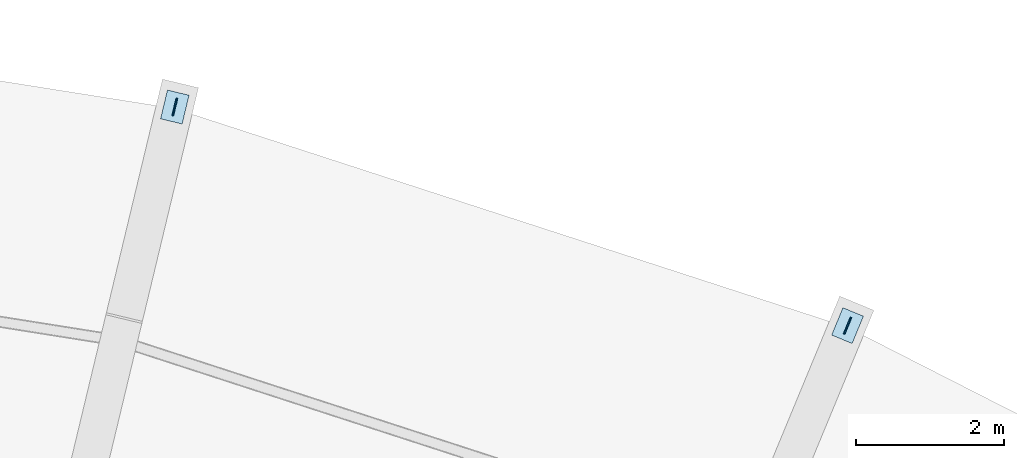
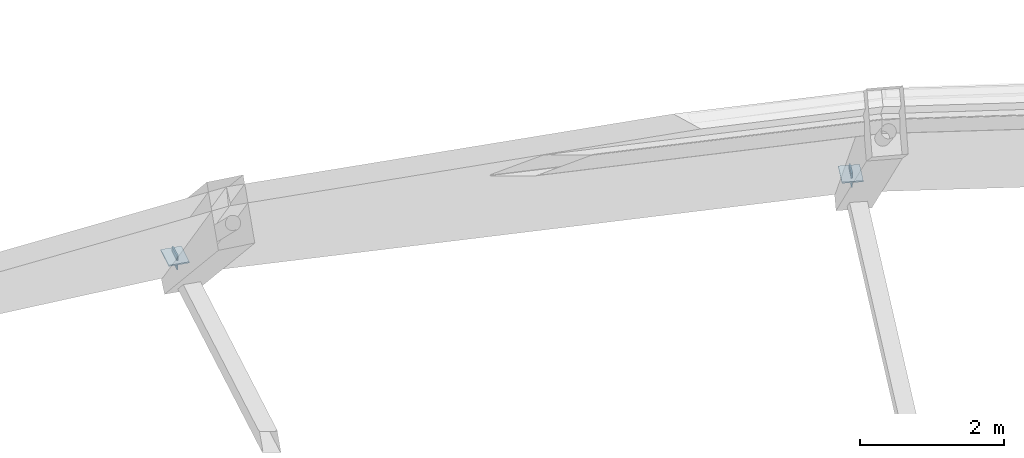
# One storey, part 28 of 34: 4 plates.
"""IFC4 building model written with IfcOpenShell, lengths in metres."""

import ifcopenshell
import ifcopenshell.guid

model = None  # the IFC model being written
_history = None  # IfcOwnerHistory: only IFC2X3 demands one
_inside = {}  # id of a spatial element -> (the spatial element, [elements in it])
_under = {}  # id of a project, library or spatial element -> (it, [spatial elements below it])
_declared = {}  # id of a project -> (the project, [libraries it declares])
_typed = {}  # id of a type object -> (the type object, [elements of that type])
_made_of = {}  # id of a material, layer set ... -> (it, [elements and type objects made of it])


def new_model(schema):
    """Start an empty IFC model of exactly this schema.

    Asked for "IFC4X3", IfcOpenShell would pick the latest addendum, in which some entities
    have other attributes; the version numbers below select the first issue.
    IFC2X3 requires an IfcOwnerHistory on every rooted entity: one is made here for all.
    """
    global model, _history
    if schema == "IFC4X3":
        model = ifcopenshell.file(schema_version=(4, 3, 0, 0))
    else:
        model = ifcopenshell.file(schema=schema)
    _inside.clear()
    _under.clear()
    _declared.clear()
    _typed.clear()
    _made_of.clear()
    _history = None
    if model.schema == "IFC2X3":
        org = make("IfcOrganization", Name="unknown")
        user = make(
            "IfcPersonAndOrganization",
            ThePerson=make("IfcPerson", FamilyName="unknown"),
            TheOrganization=org,
        )
        app = make(
            "IfcApplication",
            ApplicationDeveloper=org,
            Version="unknown",
            ApplicationFullName="unknown",
            ApplicationIdentifier="unknown",
        )
        _history = make(
            "IfcOwnerHistory",
            OwningUser=user,
            OwningApplication=app,
            ChangeAction="ADDED",
            CreationDate=0,
        )
    return model


def make(cls, **values):
    """One entity of the class cls with the attributes given. An attribute that is None is left unset."""
    return model.create_entity(
        cls, **{name: value for name, value in values.items() if value is not None}
    )


def rooted(cls, **values):
    """An entity with a GlobalId (a new one), such as an element, a storey or a relation."""
    return make(cls, GlobalId=ifcopenshell.guid.new(), OwnerHistory=_history, **values)


def si_unit(unit_type, name, prefix=None):
    """IfcSIUnit, for example si_unit("LENGTHUNIT", "METRE", prefix="MILLI")."""
    return make("IfcSIUnit", UnitType=unit_type, Prefix=prefix, Name=name)


def assignment(units):
    """IfcUnitAssignment: the units of a project."""
    return None if units is None else make("IfcUnitAssignment", Units=units)


def point(xyz):
    """IfcCartesianPoint."""
    return None if xyz is None else make("IfcCartesianPoint", Coordinates=xyz)


def direction(xyz):
    """IfcDirection."""
    return None if xyz is None else make("IfcDirection", DirectionRatios=xyz)


def frame(location, z_axis=None, x_axis=None):
    """IfcAxis2Placement3D, a coordinate frame: its origin and axes. An axis left out is left unset."""
    return make(
        "IfcAxis2Placement3D",
        Location=point(location),
        Axis=direction(z_axis),
        RefDirection=direction(x_axis),
    )


def frame_2d(location, x_axis=None):
    """IfcAxis2Placement2D, a coordinate frame in the plane: its origin and x axis."""
    return make(
        "IfcAxis2Placement2D", Location=point(location), RefDirection=direction(x_axis)
    )


def origin():
    """The frame at (0, 0, 0) with its axes left unset."""
    return frame((0.0, 0.0, 0.0))


def origin_2d():
    """The frame at (0, 0) in the plane with its x axis left unset."""
    return frame_2d((0.0, 0.0))


def place(relative_to, where):
    """IfcLocalPlacement: puts the frame where relative to a parent placement (None: the world)."""
    return make(
        "IfcLocalPlacement", PlacementRelTo=relative_to, RelativePlacement=where
    )


def context(
    kind, dimensions, precision=None, world=None, true_north=None, identifier=None
):
    """IfcGeometricRepresentationContext, for example the 3D "Model" context."""
    return make(
        "IfcGeometricRepresentationContext",
        ContextIdentifier=identifier,
        ContextType=kind,
        CoordinateSpaceDimension=dimensions,
        Precision=precision,
        WorldCoordinateSystem=world,
        TrueNorth=true_north,
    )


def subcontext(parent, identifier, kind, view, scale=None):
    """IfcGeometricRepresentationSubContext, for example "Body" below "Model"."""
    return make(
        "IfcGeometricRepresentationSubContext",
        ContextIdentifier=identifier,
        ContextType=kind,
        ParentContext=parent,
        TargetScale=scale,
        TargetView=view,
    )


def project(units=None, contexts=None):
    """IfcProject with its units and contexts."""
    return rooted(
        "IfcProject",
        Name="project",
        RepresentationContexts=contexts,
        UnitsInContext=assignment(units),
    )


def spatial(cls, under=None, at=None, **own):
    """A site, building, storey or space (cls), placed at a placement, below another one or the project."""
    s = rooted(cls, ObjectPlacement=at, **own)
    if under is not None:
        _under.setdefault(under.id(), (under, []))[1].append(s)
    return s


def profile(cls, at=None, kind="AREA", **sizes):
    """A parametric profile (cls). Its sizes go by their IFC names, for example OverallWidth=200.0."""
    return make(cls, ProfileType=kind, Position=at, **sizes)


def rectangle(**sizes):
    """IfcRectangleProfileDef."""
    return profile("IfcRectangleProfileDef", **sizes)


def extrude(swept, where, along, depth):
    """IfcExtrudedAreaSolid: the profile swept, set in the frame where, extruded along a direction by depth."""
    return make(
        "IfcExtrudedAreaSolid",
        SweptArea=swept,
        Position=where,
        ExtrudedDirection=direction(along),
        Depth=depth,
    )


def shape(context_of_items, identifier, shape_type, items):
    """IfcShapeRepresentation: the items that make up one representation, for example the "Body"."""
    return make(
        "IfcShapeRepresentation",
        ContextOfItems=context_of_items,
        RepresentationIdentifier=identifier,
        RepresentationType=shape_type,
        Items=items,
    )


def material(Name=None, Category=None):
    """IfcMaterial."""
    return make("IfcMaterial", Name=Name, Category=Category)


def layer(
    of_material, thickness, ventilated=None, Name=None, Category=None, Priority=None
):
    """IfcMaterialLayer: one layer of a wall or slab, of a material (None: an air gap)."""
    return make(
        "IfcMaterialLayer",
        Material=of_material,
        LayerThickness=thickness,
        IsVentilated=ventilated,
        Name=Name,
        Category=Category,
        Priority=Priority,
    )


def layer_set(layers, Name=None):
    """IfcMaterialLayerSet."""
    return make("IfcMaterialLayerSet", MaterialLayers=layers, LayerSetName=Name)


def made_of(thing, what):
    """Note that an element or type object is made of a material, layer set ...; save() writes the relation."""
    if what is not None:
        _made_of.setdefault(what.id(), (what, []))[1].append(thing)
    return thing


def type_object(cls, material=None, **own):
    """A type object (cls), such as IfcWallType, which elements share."""
    return made_of(rooted(cls, **own), material)


def element(
    cls,
    number,
    at=None,
    inside=None,
    cuts=None,
    type_object=None,
    material=None,
    context=None,
    identifier="Body",
    shape_type=None,
    held_by="IfcProductDefinitionShape",
    body=None,
    shapes=None,
    **own,
):
    """One element of the class cls, such as IfcWall. Its Tag is "e" and its number.

    at: its placement. inside: the storey or other place that contains it. cuts: it is an
    opening in that element (IfcRelVoidsElement). A single representation is given by context,
    identifier, shape_type and body (its items); several are given by shapes. held_by: the class
    of the entity that holds the representations. save() writes the other relations.
    """
    e = rooted(cls, Tag="e%d" % number, ObjectPlacement=at, **own)
    if body is not None:
        shapes = [shape(context, identifier, shape_type, body)]
    if shapes is not None:
        e.Representation = make(held_by, Representations=shapes)
    if inside is not None:
        _inside.setdefault(inside.id(), (inside, []))[1].append(e)
    if cuts is not None:
        rooted(
            "IfcRelVoidsElement", RelatingBuildingElement=cuts, RelatedOpeningElement=e
        )
    if type_object is not None:
        _typed.setdefault(type_object.id(), (type_object, []))[1].append(e)
    return made_of(e, material)


def aggregate(whole, parts):
    """IfcRelAggregates: a whole, such as a stair, and the parts it consists of."""
    return rooted("IfcRelAggregates", RelatingObject=whole, RelatedObjects=parts)


def save(model, path):
    """Write the relations noted so far, then the file.

    IfcRelAggregates (storeys below a building ...), IfcRelContainedInSpatialStructure (elements
    in a storey), IfcRelDefinesByType, IfcRelAssociatesMaterial and IfcRelDeclares: one each for
    every whole, place, type object, material and project.
    """
    for whole, parts in _under.values():
        aggregate(whole, parts)
    for where, things in _inside.values():
        rooted(
            "IfcRelContainedInSpatialStructure",
            RelatedElements=things,
            RelatingStructure=where,
        )
    for kind, things in _typed.values():
        rooted("IfcRelDefinesByType", RelatedObjects=things, RelatingType=kind)
    for what, things in _made_of.values():
        rooted("IfcRelAssociatesMaterial", RelatedObjects=things, RelatingMaterial=what)
    for by, libraries in _declared.values():
        rooted("IfcRelDeclares", RelatingContext=by, RelatedDefinitions=libraries)
    model.write(path)


model = new_model("IFC4")

# Units and contexts
model_context = context("Model", 3, precision=1e-05, world=origin(), true_north=direction((0.0, 1.0)))
body_context = subcontext(model_context, "Body", "Model", "MODEL_VIEW")
ifc_project = project(units=[si_unit("LENGTHUNIT", "METRE"), si_unit("AREAUNIT", "SQUARE_METRE"), si_unit("VOLUMEUNIT", "CUBIC_METRE"), si_unit("PLANEANGLEUNIT", "RADIAN"), si_unit("MASSUNIT", "GRAM", prefix="KILO")], contexts=[model_context])

# Site, building, storey
site_placement = place(None, origin())
site = spatial("IfcSite", under=ifc_project, at=site_placement, CompositionType="ELEMENT")
building_placement = place(site_placement, origin())
building = spatial("IfcBuilding", under=site, at=building_placement, Name="Miralva Faculty of Natural Sciences", CompositionType="ELEMENT")
storey_placement = place(building_placement, frame((0.0, 0.0, 24.0)))
storey = spatial("IfcBuildingStorey", under=building, at=storey_placement, Name="L05", CompositionType="ELEMENT", Elevation=24.0)

# Plates
ifc_material = material(Name="Steel S355", Category="steel")
ifc_layer_1 = layer(ifc_material, 0.02490234375, Name="PLT-BP02")
ifc_layer_set_1 = layer_set([ifc_layer_1], Name="Steel S355")
plate_type_1 = type_object("IfcPlateType", Name="PLT-BP02", PredefinedType="SHEET", material=ifc_layer_set_1)
for number, where, z_axis, x_axis, name in (
    (1, (104.240234375, 38.314697265625, -0.16015625), (0.0, 0.0, 1.0), (0.233445363856, 0.972369920398, 0.0), "Shell truss diagonal gusset plate 06-5"),
    (2, (113.34375, 35.356689453125, -0.16015625), (0.0, 0.0, 1.0), (0.382683432365, 0.923879532511, 0.0), "Shell truss diagonal gusset plate 07-5"),
):
    element("IfcPlate", number, at=place(storey_placement, frame(where, z_axis=z_axis, x_axis=x_axis)), inside=storey, type_object=plate_type_1, Name=name, PredefinedType="SHEET", context=body_context, shape_type="SweptSolid", body=[
        extrude(rectangle(XDim=0.239990234375, YDim=0.02001953125, at=origin_2d()), origin(), (0.0, 0.0, 1.0), 0.239990234375),
    ])
ifc_layer_2 = layer(ifc_material, 0.02001953125, Name="PLT-BP03")
ifc_layer_set_2 = layer_set([ifc_layer_2], Name="Steel S355")
plate_type_2 = type_object("IfcPlateType", Name="PLT-BP03", PredefinedType="SHEET", material=ifc_layer_set_2)
for number, where, z_axis, x_axis, name in (
    (3, (104.240234375, 38.314697265625, -0.02001953125), (0.0, 0.0, 1.0), (0.233445363856, 0.972369920398, 0.0), "Shell springing bearing plate EB-06-OUT"),
    (4, (113.34375, 35.356689453125, -0.02001953125), (0.0, 0.0, 1.0), (0.382683432365, 0.923879532511, 0.0), "Shell springing bearing plate EB-07-OUT"),
):
    element("IfcPlate", number, at=place(storey_placement, frame(where, z_axis=z_axis, x_axis=x_axis)), inside=storey, type_object=plate_type_2, Name=name, PredefinedType="SHEET", context=body_context, shape_type="SweptSolid", body=[
        extrude(rectangle(XDim=0.39990234375, YDim=0.300048828125, at=origin_2d()), origin(), (0.0, 0.0, 1.0), 0.02001953125),
    ])

save(model, "model.ifc")
